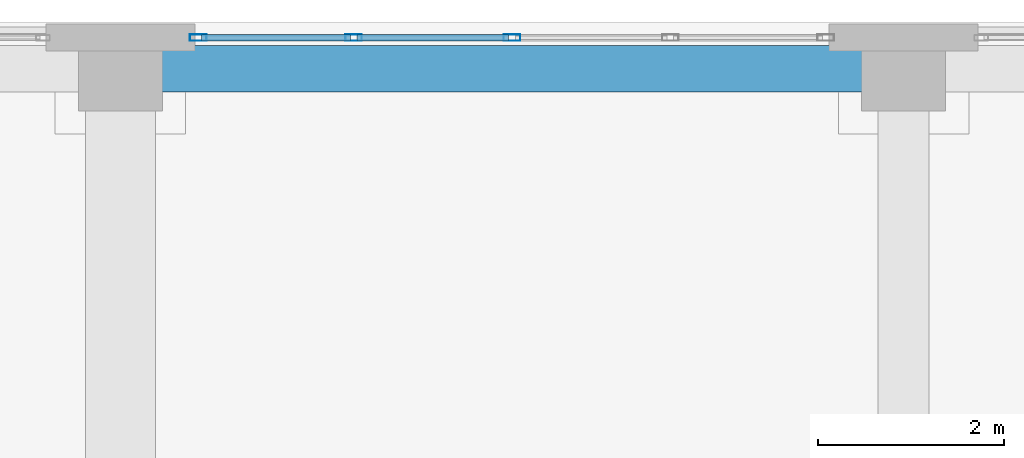
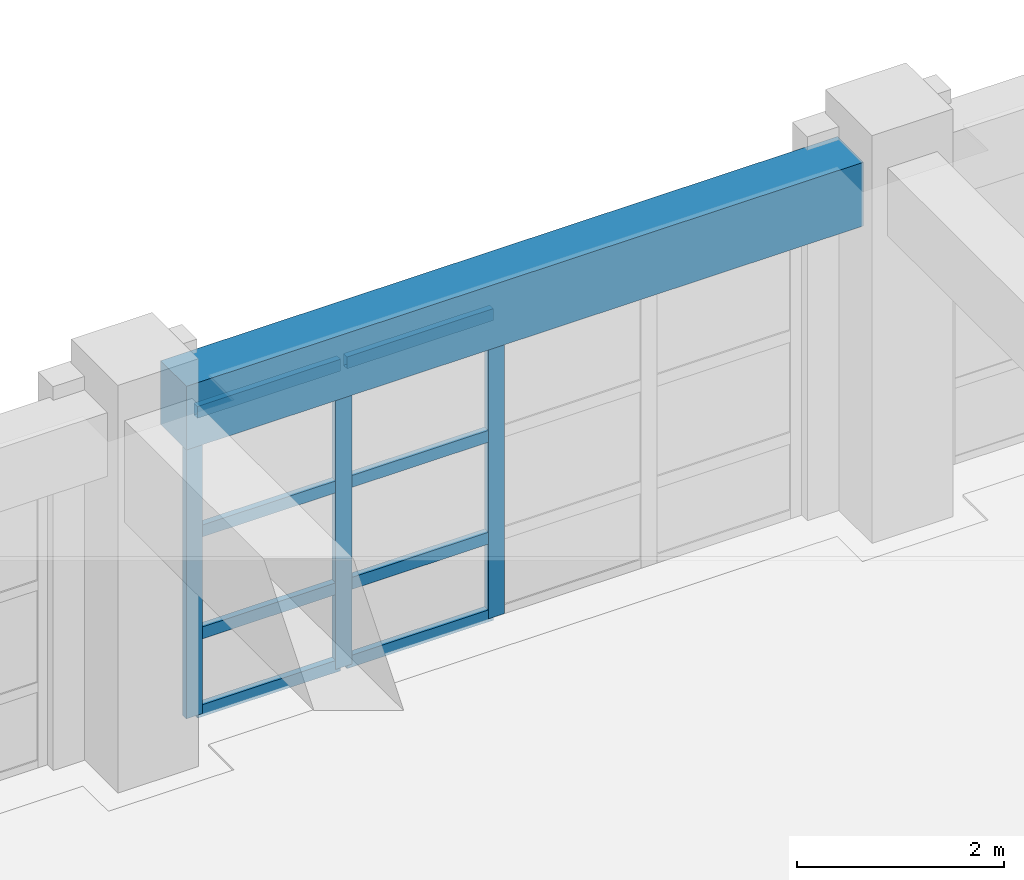
# One storey, part 63 of 123: 11 members, 1 beam, 1 element without a shape of its own.
"""IFC4 building model written with IfcOpenShell, lengths in metres."""

from ifc_helpers import new_model, si_unit, direction, frame, origin, origin_2d, place, context, subcontext, project, spatial, rectangle, hollow_rectangle, extrude, material, layer, layer_set, material_profile, profile_set, type_object, element, aggregate, save


model = new_model("IFC4")

# Units and contexts
model_context = context("Model", 3, precision=1e-05, world=origin(), true_north=direction((0.0, 1.0)))
body_context = subcontext(model_context, "Body", "Model", "MODEL_VIEW")
ifc_project = project(units=[si_unit("LENGTHUNIT", "METRE"), si_unit("AREAUNIT", "SQUARE_METRE"), si_unit("VOLUMEUNIT", "CUBIC_METRE"), si_unit("PLANEANGLEUNIT", "RADIAN"), si_unit("MASSUNIT", "GRAM", prefix="KILO")], contexts=[model_context])

# Site, building, storey
site_placement = place(None, origin())
site = spatial("IfcSite", under=ifc_project, at=site_placement, CompositionType="ELEMENT")
building_placement = place(site_placement, origin())
building = spatial("IfcBuilding", under=site, at=building_placement, Name="Quendrovan Civic Courthouse", CompositionType="ELEMENT")
storey_placement = place(building_placement, frame((0.0, 0.0, 5.39990234375)))
storey = spatial("IfcBuildingStorey", under=building, at=storey_placement, Name="L02", CompositionType="ELEMENT", Elevation=5.39990234375)

# Beam
ifc_material_1 = material(Name="Concrete C40/50", Category="concrete")
ifc_material_profile_1 = material_profile(ifc_material_1, rectangle(XDim=0.5, YDim=0.75, at=origin_2d()), Name="RC-BM-500x750")
ifc_profile_set_1 = profile_set([ifc_material_profile_1], Name="Concrete C40/50")
beam_type = type_object("IfcBeamType", Name="BM-RC750", PredefinedType="SPANDREL", material=ifc_profile_set_1)
beam_placement = place(storey_placement, frame((76.030029296875, 109.89990234375, 3.985107421875), z_axis=(1.0, 0.0, 0.0), x_axis=(0.0, 1.0, 0.0)))
element("IfcBeam", 1, at=beam_placement, inside=storey, type_object=beam_type, Name="L02 Girder X0596", PredefinedType="SPANDREL", context=body_context, shape_type="SweptSolid", body=[
    extrude(rectangle(XDim=0.5, YDim=0.75, at=origin_2d()), origin(), (0.0, 0.0, 1.0), 7.5400390625),
])

# Curtain wall, members
ifc_material_2 = material(Name="Bronze anodised aluminium and low-E glass", Category="aluminium")
ifc_layer = layer(ifc_material_2, 0.179931640625, Name="Bronze anodised aluminium and low-E glass")
ifc_layer_set = layer_set([ifc_layer], Name="Bronze anodised aluminium and low-E glass")
curtain_wall_type = type_object("IfcCurtainWallType", Name="CW-U68x36", PredefinedType="USERDEFINED", material=ifc_layer_set)
curtain_wall_placement = place(storey_placement, origin())
curtain_wall = element("IfcCurtainWall", 2, at=curtain_wall_placement, inside=storey, type_object=curtain_wall_type, Name="L02 Unitised Hurricane Curtain Wall CW-086", ObjectType="UNITISED CURTAIN WALL", PredefinedType="USERDEFINED")
ifc_material_3 = material(Name="Bronze anodised aluminium", Category="aluminium")
ifc_material_profile_2 = material_profile(ifc_material_3, hollow_rectangle(XDim=0.070068359375, YDim=0.179931640625, WallThickness=0.00390625, at=origin_2d()), Name="CW-MULL-70x180")
ifc_profile_set_2 = profile_set([ifc_material_profile_2], Name="Bronze anodised aluminium")
member_type_1 = type_object("IfcMemberType", Name="CW-MULL-A", PredefinedType="MULLION", material=ifc_profile_set_2)
member_1_placement = place(storey_placement, frame((76.43505859375, 110.235107421875, 0.0), z_axis=(0.0, 0.0, 1.0), x_axis=(0.0, 1.0, 0.0)))
member_1 = element("IfcMember", 3, at=member_1_placement, type_object=member_type_1, Name="CW-086 mullion 1", PredefinedType="MULLION", context=body_context, shape_type="SweptSolid", body=[
    extrude(hollow_rectangle(XDim=0.070068359375, YDim=0.179931640625, WallThickness=0.00390625, at=origin_2d()), origin(), (0.0, 0.0, 1.0), 3.60009765625),
])
member_2_placement = place(storey_placement, frame((78.10009765625, 110.235107421875, 0.0), z_axis=(0.0, 0.0, 1.0), x_axis=(0.0, 1.0, 0.0)))
member_2 = element("IfcMember", 4, at=member_2_placement, type_object=member_type_1, Name="CW-086 mullion 2", PredefinedType="MULLION", context=body_context, shape_type="SweptSolid", body=[
    extrude(hollow_rectangle(XDim=0.070068359375, YDim=0.179931640625, WallThickness=0.00390625, at=origin_2d()), origin(), (0.0, 0.0, 1.0), 3.60009765625),
])
member_3_placement = place(storey_placement, frame((79.800048828125, 110.235107421875, 0.0), z_axis=(0.0, 0.0, 1.0), x_axis=(0.0, 1.0, 0.0)))
member_3 = element("IfcMember", 5, at=member_3_placement, type_object=member_type_1, Name="CW-086 mullion 3", PredefinedType="MULLION", context=body_context, shape_type="SweptSolid", body=[
    extrude(hollow_rectangle(XDim=0.070068359375, YDim=0.179931640625, WallThickness=0.00390625, at=origin_2d()), origin(), (0.0, 0.0, 1.0), 3.60009765625),
])
ifc_material_profile_3 = material_profile(ifc_material_3, hollow_rectangle(XDim=0.070068359375, YDim=0.139892578125, WallThickness=0.00390625, at=origin_2d()), Name="CW-TRAN-70x140")
ifc_profile_set_3 = profile_set([ifc_material_profile_3], Name="Bronze anodised aluminium")
member_type_2 = type_object("IfcMemberType", Name="CW-TRAN-A", PredefinedType="USERDEFINED", material=ifc_profile_set_3)
member_4_placement = place(storey_placement, frame((76.469970703125, 110.235107421875, 0.03515625), z_axis=(1.0, 0.0, 0.0), x_axis=(0.0, 1.0, 0.0)))
member_4 = element("IfcMember", 6, at=member_4_placement, type_object=member_type_2, Name="CW-086 transom 1.1", ObjectType="TRANSOM", PredefinedType="USERDEFINED", context=body_context, shape_type="SweptSolid", body=[
    extrude(hollow_rectangle(XDim=0.070068359375, YDim=0.139892578125, WallThickness=0.00390625, at=origin_2d()), origin(), (0.0, 0.0, 1.0), 1.594970703125),
])
member_5_placement = place(storey_placement, frame((76.469970703125, 110.235107421875, 0.9501953125), z_axis=(1.0, 0.0, 0.0), x_axis=(0.0, 1.0, 0.0)))
member_5 = element("IfcMember", 7, at=member_5_placement, type_object=member_type_2, Name="CW-086 transom 1.2", ObjectType="TRANSOM", PredefinedType="USERDEFINED", context=body_context, shape_type="SweptSolid", body=[
    extrude(hollow_rectangle(XDim=0.070068359375, YDim=0.139892578125, WallThickness=0.00390625, at=origin_2d()), origin(), (0.0, 0.0, 1.0), 1.594970703125),
])
member_6_placement = place(storey_placement, frame((76.469970703125, 110.235107421875, 2.150146484375), z_axis=(1.0, 0.0, 0.0), x_axis=(0.0, 1.0, 0.0)))
member_6 = element("IfcMember", 8, at=member_6_placement, type_object=member_type_2, Name="CW-086 transom 1.3", ObjectType="TRANSOM", PredefinedType="USERDEFINED", context=body_context, shape_type="SweptSolid", body=[
    extrude(hollow_rectangle(XDim=0.070068359375, YDim=0.139892578125, WallThickness=0.00390625, at=origin_2d()), origin(), (0.0, 0.0, 1.0), 1.594970703125),
])
member_7_placement = place(storey_placement, frame((76.469970703125, 110.235107421875, 3.565185546875), z_axis=(1.0, 0.0, 0.0), x_axis=(0.0, 1.0, 0.0)))
member_7 = element("IfcMember", 9, at=member_7_placement, type_object=member_type_2, Name="CW-086 transom 1.4", ObjectType="TRANSOM", PredefinedType="USERDEFINED", context=body_context, shape_type="SweptSolid", body=[
    extrude(hollow_rectangle(XDim=0.070068359375, YDim=0.139892578125, WallThickness=0.00390625, at=origin_2d()), origin(), (0.0, 0.0, 1.0), 1.594970703125),
])
member_8_placement = place(storey_placement, frame((78.135009765625, 110.235107421875, 0.03515625), z_axis=(1.0, 0.0, 0.0), x_axis=(0.0, 1.0, 0.0)))
member_8 = element("IfcMember", 10, at=member_8_placement, type_object=member_type_2, Name="CW-086 transom 2.1", ObjectType="TRANSOM", PredefinedType="USERDEFINED", context=body_context, shape_type="SweptSolid", body=[
    extrude(hollow_rectangle(XDim=0.070068359375, YDim=0.139892578125, WallThickness=0.00390625, at=origin_2d()), origin(), (0.0, 0.0, 1.0), 1.6298828125),
])
member_9_placement = place(storey_placement, frame((78.135009765625, 110.235107421875, 0.9501953125), z_axis=(1.0, 0.0, 0.0), x_axis=(0.0, 1.0, 0.0)))
member_9 = element("IfcMember", 11, at=member_9_placement, type_object=member_type_2, Name="CW-086 transom 2.2", ObjectType="TRANSOM", PredefinedType="USERDEFINED", context=body_context, shape_type="SweptSolid", body=[
    extrude(hollow_rectangle(XDim=0.070068359375, YDim=0.139892578125, WallThickness=0.00390625, at=origin_2d()), origin(), (0.0, 0.0, 1.0), 1.6298828125),
])
member_10_placement = place(storey_placement, frame((78.135009765625, 110.235107421875, 2.150146484375), z_axis=(1.0, 0.0, 0.0), x_axis=(0.0, 1.0, 0.0)))
member_10 = element("IfcMember", 12, at=member_10_placement, type_object=member_type_2, Name="CW-086 transom 2.3", ObjectType="TRANSOM", PredefinedType="USERDEFINED", context=body_context, shape_type="SweptSolid", body=[
    extrude(hollow_rectangle(XDim=0.070068359375, YDim=0.139892578125, WallThickness=0.00390625, at=origin_2d()), origin(), (0.0, 0.0, 1.0), 1.6298828125),
])
member_11_placement = place(storey_placement, frame((78.135009765625, 110.235107421875, 3.565185546875), z_axis=(1.0, 0.0, 0.0), x_axis=(0.0, 1.0, 0.0)))
member_11 = element("IfcMember", 13, at=member_11_placement, type_object=member_type_2, Name="CW-086 transom 2.4", ObjectType="TRANSOM", PredefinedType="USERDEFINED", context=body_context, shape_type="SweptSolid", body=[
    extrude(hollow_rectangle(XDim=0.070068359375, YDim=0.139892578125, WallThickness=0.00390625, at=origin_2d()), origin(), (0.0, 0.0, 1.0), 1.6298828125),
])
aggregate(curtain_wall, [member_1, member_2, member_3, member_4, member_5, member_6, member_7, member_8, member_9, member_10, member_11])

save(model, "model.ifc")
